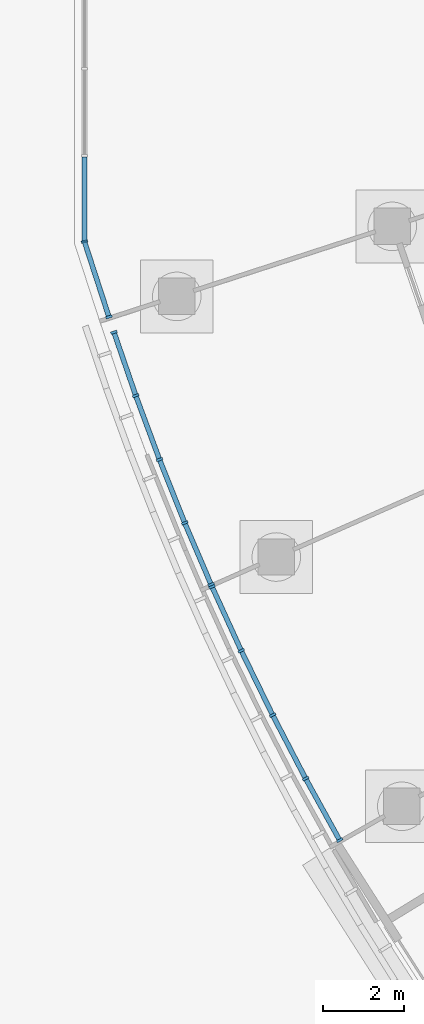
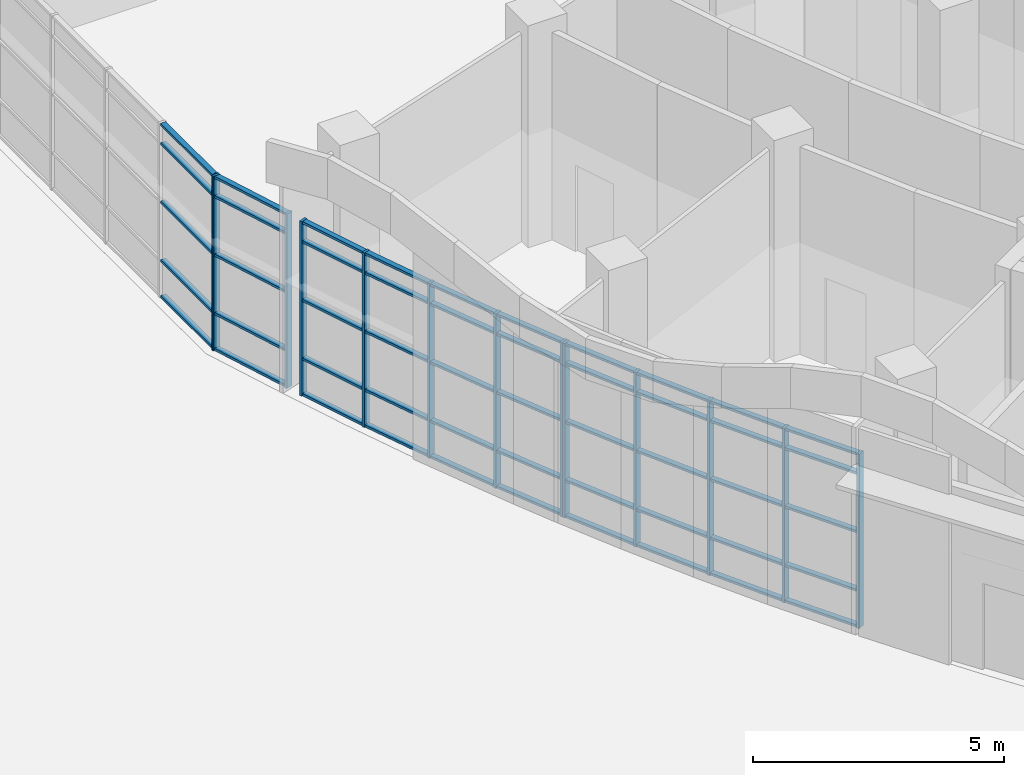
# One storey, part 24 of 146: 63 members, 4 elements without a shape of their own.
"""IFC4 building model written with IfcOpenShell, lengths in metres."""

from ifc_helpers import new_model, si_unit, direction, frame, origin, origin_2d, place, context, subcontext, project, spatial, rectangle, extrude, material, material_profile, profile_set, type_object, element, aggregate, save


model = new_model("IFC4")

# Units and contexts
model_context = context("Model", 3, precision=1e-05, world=origin(), true_north=direction((0.0, 1.0)))
body_context = subcontext(model_context, "Body", "Model", "MODEL_VIEW")
ifc_project = project(units=[si_unit("LENGTHUNIT", "METRE"), si_unit("AREAUNIT", "SQUARE_METRE"), si_unit("VOLUMEUNIT", "CUBIC_METRE"), si_unit("PLANEANGLEUNIT", "RADIAN"), si_unit("MASSUNIT", "GRAM", prefix="KILO")], contexts=[model_context])

# Site, building, storey
site_placement = place(None, origin())
site = spatial("IfcSite", under=ifc_project, at=site_placement, CompositionType="ELEMENT")
building_placement = place(site_placement, origin())
building = spatial("IfcBuilding", under=site, at=building_placement, Name="Bougainvillea Quay General Hospital", CompositionType="ELEMENT")
storey_placement = place(building_placement, origin())
storey = spatial("IfcBuildingStorey", under=building, at=storey_placement, Name="L00", CompositionType="ELEMENT", Elevation=0.0)

# Curtain wall, member
ifc_material_1 = material(Name="Aluminium curtain wall system, powder-coated glazed", Category="aluminium")
curtain_wall_type_1 = type_object("IfcCurtainWallType", Name="Unitised curtain wall CW-2157", PredefinedType="NOTDEFINED", material=ifc_material_1)
curtain_wall_1_placement = place(storey_placement, origin())
curtain_wall_1 = element("IfcCurtainWall", 1, at=curtain_wall_1_placement, inside=storey, type_object=curtain_wall_type_1, Name="CW-AE 00", PredefinedType="NOTDEFINED")
ifc_material_2 = material(Name="Aluminium mullion, powder-coated charcoal", Category="aluminium")
ifc_material_profile_1 = material_profile(ifc_material_2, rectangle(XDim=0.159912109375, YDim=0.06005859375, at=origin_2d()))
ifc_profile_set_1 = profile_set([ifc_material_profile_1], Name="Aluminium mullion, powder-coated charcoal")
member_type_1 = type_object("IfcMemberType", Name="Curtain wall mullion 160x60", PredefinedType="MULLION", material=ifc_profile_set_1)
member_1_placement = place(storey_placement, frame((42.25, 106.325927734375, 0.0), z_axis=(0.0, 0.0, 1.0), x_axis=(1.0, 0.0, 0.0)))
member_1 = element("IfcMember", 2, at=member_1_placement, type_object=member_type_1, Name="CW-AE mullion 6", PredefinedType="MULLION", context=body_context, shape_type="SweptSolid", body=[
    extrude(rectangle(XDim=0.159912109375, YDim=0.06005859375, at=origin_2d()), origin(), (0.0, 0.0, 1.0), 4.25),
])

# Curtain wall, members
curtain_wall_type_2 = type_object("IfcCurtainWallType", Name="Unitised curtain wall CW-2027", PredefinedType="NOTDEFINED", material=ifc_material_1)
curtain_wall_2_placement = place(storey_placement, origin())
curtain_wall_2 = element("IfcCurtainWall", 3, at=curtain_wall_2_placement, inside=storey, type_object=curtain_wall_type_2, Name="CW-AE 00", PredefinedType="NOTDEFINED")
member_2_placement = place(storey_placement, frame((42.2470703125, 106.3447265625, 0.0), z_axis=(0.0, 0.0, 1.0), x_axis=(0.951073957858, 0.30896330961, 0.0)))
member_2 = element("IfcMember", 4, at=member_2_placement, type_object=member_type_1, Name="CW-AE mullion 1", PredefinedType="MULLION", context=body_context, shape_type="SweptSolid", body=[
    extrude(rectangle(XDim=0.159912109375, YDim=0.06005859375, at=origin_2d()), origin(), (0.0, 0.0, 1.0), 4.25),
])
member_3_placement = place(storey_placement, frame((42.8544921875, 104.474853515625, 0.0), z_axis=(0.0, 0.0, 1.0), x_axis=(0.951073957858, 0.30896330961, 0.0)))
member_3 = element("IfcMember", 5, at=member_3_placement, type_object=member_type_1, Name="CW-AE mullion 2", PredefinedType="MULLION", context=body_context, shape_type="SweptSolid", body=[
    extrude(rectangle(XDim=0.159912109375, YDim=0.06005859375, at=origin_2d()), origin(), (0.0, 0.0, 1.0), 4.25),
])

curtain_wall_type_3 = type_object("IfcCurtainWallType", Name="Unitised curtain wall CW-2100", PredefinedType="NOTDEFINED", material=ifc_material_1)
curtain_wall_3_placement = place(storey_placement, origin())
curtain_wall_3 = element("IfcCurtainWall", 6, at=curtain_wall_3_placement, inside=storey, type_object=curtain_wall_type_3, Name="CW-W07 a01b6", PredefinedType="NOTDEFINED")
member_4_placement = place(storey_placement, frame((48.55517578125, 91.544189453125, 0.0), z_axis=(0.0, 0.0, 1.0), x_axis=(-0.875451874397, -0.483305302697, 0.0)))
member_4 = element("IfcMember", 7, at=member_4_placement, type_object=member_type_1, Name="CW-W07 mullion 1", PredefinedType="MULLION", context=body_context, shape_type="SweptSolid", body=[
    extrude(rectangle(XDim=0.159912109375, YDim=0.06005859375, at=origin_2d()), origin(), (0.0, 0.0, 1.0), 4.25),
])
member_5_placement = place(storey_placement, frame((47.71484375, 93.06640625, 0.0), z_axis=(0.0, 0.0, 1.0), x_axis=(-0.881509557333, -0.472166178724, 0.0)))
member_5 = element("IfcMember", 8, at=member_5_placement, type_object=member_type_1, Name="CW-W07 mullion 2", PredefinedType="MULLION", context=body_context, shape_type="SweptSolid", body=[
    extrude(rectangle(XDim=0.159912109375, YDim=0.06005859375, at=origin_2d()), origin(), (0.0, 0.0, 1.0), 4.25),
])
member_6_placement = place(storey_placement, frame((46.8994140625, 94.635986328125, 0.0), z_axis=(0.0, 0.0, 1.0), x_axis=(-0.893198796365, -0.449661995473, 0.0)))
member_6 = element("IfcMember", 9, at=member_6_placement, type_object=member_type_1, Name="CW-W07 mullion 3", PredefinedType="MULLION", context=body_context, shape_type="SweptSolid", body=[
    extrude(rectangle(XDim=0.159912109375, YDim=0.06005859375, at=origin_2d()), origin(), (0.0, 0.0, 1.0), 4.25),
])
member_7_placement = place(storey_placement, frame((46.1240234375, 96.225830078125, 0.0), z_axis=(0.0, 0.0, 1.0), x_axis=(-0.904313640176, -0.426868645126, 0.0)))
member_7 = element("IfcMember", 10, at=member_7_placement, type_object=member_type_1, Name="CW-W07 mullion 4", PredefinedType="MULLION", context=body_context, shape_type="SweptSolid", body=[
    extrude(rectangle(XDim=0.159912109375, YDim=0.06005859375, at=origin_2d()), origin(), (0.0, 0.0, 1.0), 4.25),
])
member_8_placement = place(storey_placement, frame((45.40185546875, 97.8076171875, 0.0), z_axis=(0.0, 0.0, 1.0), x_axis=(-0.909653415663, -0.415368105869, 0.0)))
member_8 = element("IfcMember", 11, at=member_8_placement, type_object=member_type_1, Name="CW-W07 mullion 5", PredefinedType="MULLION", context=body_context, shape_type="SweptSolid", body=[
    extrude(rectangle(XDim=0.159912109375, YDim=0.06005859375, at=origin_2d()), origin(), (0.0, 0.0, 1.0), 4.25),
])

curtain_wall_4_placement = place(storey_placement, origin())
curtain_wall_4 = element("IfcCurtainWall", 12, at=curtain_wall_4_placement, inside=storey, type_object=curtain_wall_type_3, Name="CW-W08 a01b7", PredefinedType="NOTDEFINED")
member_9_placement = place(storey_placement, frame((45.377685546875, 97.862548828125, 0.0), z_axis=(0.0, 0.0, 1.0), x_axis=(-0.919658672607, -0.392718634519, 0.0)))
member_9 = element("IfcMember", 13, at=member_9_placement, type_object=member_type_1, Name="CW-W08 mullion 1", PredefinedType="MULLION", context=body_context, shape_type="SweptSolid", body=[
    extrude(rectangle(XDim=0.159912109375, YDim=0.06005859375, at=origin_2d()), origin(), (0.0, 0.0, 1.0), 4.25),
])
member_10_placement = place(storey_placement, frame((44.7275390625, 99.384765625, 0.0), z_axis=(0.0, 0.0, 1.0), x_axis=(-0.924336164481, -0.381579159588, 0.0)))
member_10 = element("IfcMember", 14, at=member_10_placement, type_object=member_type_1, Name="CW-W08 mullion 2", PredefinedType="MULLION", context=body_context, shape_type="SweptSolid", body=[
    extrude(rectangle(XDim=0.159912109375, YDim=0.06005859375, at=origin_2d()), origin(), (0.0, 0.0, 1.0), 4.25),
])
member_11_placement = place(storey_placement, frame((44.103271484375, 100.950439453125, 0.0), z_axis=(0.0, 0.0, 1.0), x_axis=(-0.9332857179, -0.359134750148, 0.0)))
member_11 = element("IfcMember", 15, at=member_11_placement, type_object=member_type_1, Name="CW-W08 mullion 3", PredefinedType="MULLION", context=body_context, shape_type="SweptSolid", body=[
    extrude(rectangle(XDim=0.159912109375, YDim=0.06005859375, at=origin_2d()), origin(), (0.0, 0.0, 1.0), 4.25),
])
member_12_placement = place(storey_placement, frame((43.51708984375, 102.530517578125, 0.0), z_axis=(0.0, 0.0, 1.0), x_axis=(-0.941690376159, -0.336480661329, 0.0)))
member_12 = element("IfcMember", 16, at=member_12_placement, type_object=member_type_1, Name="CW-W08 mullion 4", PredefinedType="MULLION", context=body_context, shape_type="SweptSolid", body=[
    extrude(rectangle(XDim=0.159912109375, YDim=0.06005859375, at=origin_2d()), origin(), (0.0, 0.0, 1.0), 4.25),
])
member_13_placement = place(storey_placement, frame((42.97900390625, 104.095947265625, 0.0), z_axis=(0.0, 0.0, 1.0), x_axis=(-0.945686823657, -0.325079115849, 0.0)))
member_13 = element("IfcMember", 17, at=member_13_placement, type_object=member_type_1, Name="CW-W08 mullion 5", PredefinedType="MULLION", context=body_context, shape_type="SweptSolid", body=[
    extrude(rectangle(XDim=0.159912109375, YDim=0.06005859375, at=origin_2d()), origin(), (0.0, 0.0, 1.0), 4.25),
])

# Member
ifc_material_3 = material(Name="Aluminium transom, powder-coated charcoal", Category="aluminium")
ifc_material_profile_2 = material_profile(ifc_material_3, rectangle(XDim=0.1201171875, YDim=0.06005859375, at=origin_2d()))
ifc_profile_set_2 = profile_set([ifc_material_profile_2], Name="Aluminium transom, powder-coated charcoal")
member_type_2 = type_object("IfcMemberType", Name="Curtain wall transom 120x60", PredefinedType="USERDEFINED", material=ifc_profile_set_2)
member_14_placement = place(storey_placement, frame((42.25, 108.4228515625, 0.030029296875), z_axis=(0.0, -1.0, 0.0), x_axis=(1.0, 0.0, 0.0)))
member_14 = element("IfcMember", 18, at=member_14_placement, type_object=member_type_2, Name="CW-AE transom 5.1", ObjectType="TRANSOM", PredefinedType="USERDEFINED", context=body_context, shape_type="SweptSolid", body=[
    extrude(rectangle(XDim=0.1201171875, YDim=0.06005859375, at=origin_2d()), origin(), (0.0, 0.0, 1.0), 2.06689453125),
])

member_15_placement = place(storey_placement, frame((42.25, 108.4228515625, 0.89990234375), z_axis=(0.0, -1.0, 0.0), x_axis=(1.0, 0.0, 0.0)))
member_15 = element("IfcMember", 19, at=member_15_placement, type_object=member_type_2, Name="CW-AE transom 5.2", ObjectType="TRANSOM", PredefinedType="USERDEFINED", context=body_context, shape_type="SweptSolid", body=[
    extrude(rectangle(XDim=0.1201171875, YDim=0.06005859375, at=origin_2d()), origin(), (0.0, 0.0, 1.0), 2.06689453125),
])

member_16_placement = place(storey_placement, frame((42.25, 108.4228515625, 2.324951171875), z_axis=(0.0, -1.0, 0.0), x_axis=(1.0, 0.0, 0.0)))
member_16 = element("IfcMember", 20, at=member_16_placement, type_object=member_type_2, Name="CW-AE transom 5.3", ObjectType="TRANSOM", PredefinedType="USERDEFINED", context=body_context, shape_type="SweptSolid", body=[
    extrude(rectangle(XDim=0.1201171875, YDim=0.06005859375, at=origin_2d()), origin(), (0.0, 0.0, 1.0), 2.06689453125),
])

member_17_placement = place(storey_placement, frame((42.25, 108.4228515625, 3.75), z_axis=(0.0, -1.0, 0.0), x_axis=(1.0, 0.0, 0.0)))
member_17 = element("IfcMember", 21, at=member_17_placement, type_object=member_type_2, Name="CW-AE transom 5.4", ObjectType="TRANSOM", PredefinedType="USERDEFINED", context=body_context, shape_type="SweptSolid", body=[
    extrude(rectangle(XDim=0.1201171875, YDim=0.06005859375, at=origin_2d()), origin(), (0.0, 0.0, 1.0), 2.06689453125),
])

member_18_placement = place(storey_placement, frame((42.25, 108.4228515625, 4.219970703125), z_axis=(0.0, -1.0, 0.0), x_axis=(1.0, 0.0, 0.0)))
member_18 = element("IfcMember", 22, at=member_18_placement, type_object=member_type_2, Name="CW-AE transom 5.5", ObjectType="TRANSOM", PredefinedType="USERDEFINED", context=body_context, shape_type="SweptSolid", body=[
    extrude(rectangle(XDim=0.1201171875, YDim=0.06005859375, at=origin_2d()), origin(), (0.0, 0.0, 1.0), 2.06689453125),
])

aggregate(curtain_wall_1, [member_1, member_14, member_15, member_16, member_17, member_18])

member_19_placement = place(storey_placement, frame((42.25634765625, 106.316162109375, 0.030029296875), z_axis=(0.308955733663, -0.951076418926, 0.0), x_axis=(0.951076418926, 0.308955733663, 0.0)))
member_19 = element("IfcMember", 23, at=member_19_placement, type_object=member_type_2, Name="CW-AE transom 1.1", ObjectType="TRANSOM", PredefinedType="USERDEFINED", context=body_context, shape_type="SweptSolid", body=[
    extrude(rectangle(XDim=0.1201171875, YDim=0.06005859375, at=origin_2d()), origin(), (0.0, 0.0, 1.0), 1.906005859375),
])

member_20_placement = place(storey_placement, frame((42.25634765625, 106.316162109375, 0.89990234375), z_axis=(0.308955733663, -0.951076418926, 0.0), x_axis=(0.951076418926, 0.308955733663, 0.0)))
member_20 = element("IfcMember", 24, at=member_20_placement, type_object=member_type_2, Name="CW-AE transom 1.2", ObjectType="TRANSOM", PredefinedType="USERDEFINED", context=body_context, shape_type="SweptSolid", body=[
    extrude(rectangle(XDim=0.1201171875, YDim=0.06005859375, at=origin_2d()), origin(), (0.0, 0.0, 1.0), 1.906005859375),
])

member_21_placement = place(storey_placement, frame((42.25634765625, 106.316162109375, 2.324951171875), z_axis=(0.308955733663, -0.951076418926, 0.0), x_axis=(0.951076418926, 0.308955733663, 0.0)))
member_21 = element("IfcMember", 25, at=member_21_placement, type_object=member_type_2, Name="CW-AE transom 1.3", ObjectType="TRANSOM", PredefinedType="USERDEFINED", context=body_context, shape_type="SweptSolid", body=[
    extrude(rectangle(XDim=0.1201171875, YDim=0.06005859375, at=origin_2d()), origin(), (0.0, 0.0, 1.0), 1.906005859375),
])

member_22_placement = place(storey_placement, frame((42.25634765625, 106.316162109375, 3.75), z_axis=(0.308955733663, -0.951076418926, 0.0), x_axis=(0.951076418926, 0.308955733663, 0.0)))
member_22 = element("IfcMember", 26, at=member_22_placement, type_object=member_type_2, Name="CW-AE transom 1.4", ObjectType="TRANSOM", PredefinedType="USERDEFINED", context=body_context, shape_type="SweptSolid", body=[
    extrude(rectangle(XDim=0.1201171875, YDim=0.06005859375, at=origin_2d()), origin(), (0.0, 0.0, 1.0), 1.906005859375),
])

member_23_placement = place(storey_placement, frame((42.25634765625, 106.316162109375, 4.219970703125), z_axis=(0.308955733663, -0.951076418926, 0.0), x_axis=(0.951076418926, 0.308955733663, 0.0)))
member_23 = element("IfcMember", 27, at=member_23_placement, type_object=member_type_2, Name="CW-AE transom 1.5", ObjectType="TRANSOM", PredefinedType="USERDEFINED", context=body_context, shape_type="SweptSolid", body=[
    extrude(rectangle(XDim=0.1201171875, YDim=0.06005859375, at=origin_2d()), origin(), (0.0, 0.0, 1.0), 1.906005859375),
])

aggregate(curtain_wall_2, [member_2, member_3, member_19, member_20, member_21, member_22, member_23])

member_24_placement = place(storey_placement, frame((48.54052734375, 91.570556640625, 0.030029296875), z_axis=(-0.483319558897, 0.875444003913, 0.0), x_axis=(-0.875444003913, -0.483319558897, 0.0)))
member_24 = element("IfcMember", 28, at=member_24_placement, type_object=member_type_2, Name="CW-W07 transom 1.1", ObjectType="TRANSOM", PredefinedType="USERDEFINED", context=body_context, shape_type="SweptSolid", body=[
    extrude(rectangle(XDim=0.1201171875, YDim=0.06005859375, at=origin_2d()), origin(), (0.0, 0.0, 1.0), 1.678466796875),
])

member_25_placement = place(storey_placement, frame((48.54052734375, 91.570556640625, 0.89990234375), z_axis=(-0.483319558897, 0.875444003913, 0.0), x_axis=(-0.875444003913, -0.483319558897, 0.0)))
member_25 = element("IfcMember", 29, at=member_25_placement, type_object=member_type_2, Name="CW-W07 transom 1.2", ObjectType="TRANSOM", PredefinedType="USERDEFINED", context=body_context, shape_type="SweptSolid", body=[
    extrude(rectangle(XDim=0.1201171875, YDim=0.06005859375, at=origin_2d()), origin(), (0.0, 0.0, 1.0), 1.678466796875),
])

member_26_placement = place(storey_placement, frame((48.54052734375, 91.570556640625, 2.324951171875), z_axis=(-0.483319558897, 0.875444003913, 0.0), x_axis=(-0.875444003913, -0.483319558897, 0.0)))
member_26 = element("IfcMember", 30, at=member_26_placement, type_object=member_type_2, Name="CW-W07 transom 1.3", ObjectType="TRANSOM", PredefinedType="USERDEFINED", context=body_context, shape_type="SweptSolid", body=[
    extrude(rectangle(XDim=0.1201171875, YDim=0.06005859375, at=origin_2d()), origin(), (0.0, 0.0, 1.0), 1.678466796875),
])

member_27_placement = place(storey_placement, frame((48.54052734375, 91.570556640625, 3.75), z_axis=(-0.483319558897, 0.875444003913, 0.0), x_axis=(-0.875444003913, -0.483319558897, 0.0)))
member_27 = element("IfcMember", 31, at=member_27_placement, type_object=member_type_2, Name="CW-W07 transom 1.4", ObjectType="TRANSOM", PredefinedType="USERDEFINED", context=body_context, shape_type="SweptSolid", body=[
    extrude(rectangle(XDim=0.1201171875, YDim=0.06005859375, at=origin_2d()), origin(), (0.0, 0.0, 1.0), 1.678466796875),
])

member_28_placement = place(storey_placement, frame((48.54052734375, 91.570556640625, 4.219970703125), z_axis=(-0.483319558897, 0.875444003913, 0.0), x_axis=(-0.875444003913, -0.483319558897, 0.0)))
member_28 = element("IfcMember", 32, at=member_28_placement, type_object=member_type_2, Name="CW-W07 transom 1.5", ObjectType="TRANSOM", PredefinedType="USERDEFINED", context=body_context, shape_type="SweptSolid", body=[
    extrude(rectangle(XDim=0.1201171875, YDim=0.06005859375, at=origin_2d()), origin(), (0.0, 0.0, 1.0), 1.678466796875),
])

member_29_placement = place(storey_placement, frame((47.700927734375, 93.093017578125, 0.030029296875), z_axis=(-0.460934299369, 0.887434263292, 0.0), x_axis=(-0.887434263292, -0.460934299369, 0.0)))
member_29 = element("IfcMember", 33, at=member_29_placement, type_object=member_type_2, Name="CW-W07 transom 2.1", ObjectType="TRANSOM", PredefinedType="USERDEFINED", context=body_context, shape_type="SweptSolid", body=[
    extrude(rectangle(XDim=0.1201171875, YDim=0.06005859375, at=origin_2d()), origin(), (0.0, 0.0, 1.0), 1.708740234375),
])

member_30_placement = place(storey_placement, frame((47.700927734375, 93.093017578125, 0.89990234375), z_axis=(-0.460934299369, 0.887434263292, 0.0), x_axis=(-0.887434263292, -0.460934299369, 0.0)))
member_30 = element("IfcMember", 34, at=member_30_placement, type_object=member_type_2, Name="CW-W07 transom 2.2", ObjectType="TRANSOM", PredefinedType="USERDEFINED", context=body_context, shape_type="SweptSolid", body=[
    extrude(rectangle(XDim=0.1201171875, YDim=0.06005859375, at=origin_2d()), origin(), (0.0, 0.0, 1.0), 1.708740234375),
])

member_31_placement = place(storey_placement, frame((47.700927734375, 93.093017578125, 2.324951171875), z_axis=(-0.460934299369, 0.887434263292, 0.0), x_axis=(-0.887434263292, -0.460934299369, 0.0)))
member_31 = element("IfcMember", 35, at=member_31_placement, type_object=member_type_2, Name="CW-W07 transom 2.3", ObjectType="TRANSOM", PredefinedType="USERDEFINED", context=body_context, shape_type="SweptSolid", body=[
    extrude(rectangle(XDim=0.1201171875, YDim=0.06005859375, at=origin_2d()), origin(), (0.0, 0.0, 1.0), 1.708740234375),
])

member_32_placement = place(storey_placement, frame((47.700927734375, 93.093017578125, 3.75), z_axis=(-0.460934299369, 0.887434263292, 0.0), x_axis=(-0.887434263292, -0.460934299369, 0.0)))
member_32 = element("IfcMember", 36, at=member_32_placement, type_object=member_type_2, Name="CW-W07 transom 2.4", ObjectType="TRANSOM", PredefinedType="USERDEFINED", context=body_context, shape_type="SweptSolid", body=[
    extrude(rectangle(XDim=0.1201171875, YDim=0.06005859375, at=origin_2d()), origin(), (0.0, 0.0, 1.0), 1.708740234375),
])

member_33_placement = place(storey_placement, frame((47.700927734375, 93.093017578125, 4.219970703125), z_axis=(-0.460934299369, 0.887434263292, 0.0), x_axis=(-0.887434263292, -0.460934299369, 0.0)))
member_33 = element("IfcMember", 37, at=member_33_placement, type_object=member_type_2, Name="CW-W07 transom 2.5", ObjectType="TRANSOM", PredefinedType="USERDEFINED", context=body_context, shape_type="SweptSolid", body=[
    extrude(rectangle(XDim=0.1201171875, YDim=0.06005859375, at=origin_2d()), origin(), (0.0, 0.0, 1.0), 1.708740234375),
])

member_34_placement = place(storey_placement, frame((46.88623046875, 94.6630859375, 0.030029296875), z_axis=(-0.4383335534, 0.898812380847, 0.0), x_axis=(-0.898812380847, -0.4383335534, 0.0)))
member_34 = element("IfcMember", 38, at=member_34_placement, type_object=member_type_2, Name="CW-W07 transom 3.1", ObjectType="TRANSOM", PredefinedType="USERDEFINED", context=body_context, shape_type="SweptSolid", body=[
    extrude(rectangle(XDim=0.1201171875, YDim=0.06005859375, at=origin_2d()), origin(), (0.0, 0.0, 1.0), 1.708740234375),
])

member_35_placement = place(storey_placement, frame((46.88623046875, 94.6630859375, 0.89990234375), z_axis=(-0.4383335534, 0.898812380847, 0.0), x_axis=(-0.898812380847, -0.4383335534, 0.0)))
member_35 = element("IfcMember", 39, at=member_35_placement, type_object=member_type_2, Name="CW-W07 transom 3.2", ObjectType="TRANSOM", PredefinedType="USERDEFINED", context=body_context, shape_type="SweptSolid", body=[
    extrude(rectangle(XDim=0.1201171875, YDim=0.06005859375, at=origin_2d()), origin(), (0.0, 0.0, 1.0), 1.708740234375),
])

member_36_placement = place(storey_placement, frame((46.88623046875, 94.6630859375, 2.324951171875), z_axis=(-0.4383335534, 0.898812380847, 0.0), x_axis=(-0.898812380847, -0.4383335534, 0.0)))
member_36 = element("IfcMember", 40, at=member_36_placement, type_object=member_type_2, Name="CW-W07 transom 3.3", ObjectType="TRANSOM", PredefinedType="USERDEFINED", context=body_context, shape_type="SweptSolid", body=[
    extrude(rectangle(XDim=0.1201171875, YDim=0.06005859375, at=origin_2d()), origin(), (0.0, 0.0, 1.0), 1.708740234375),
])

member_37_placement = place(storey_placement, frame((46.88623046875, 94.6630859375, 3.75), z_axis=(-0.4383335534, 0.898812380847, 0.0), x_axis=(-0.898812380847, -0.4383335534, 0.0)))
member_37 = element("IfcMember", 41, at=member_37_placement, type_object=member_type_2, Name="CW-W07 transom 3.4", ObjectType="TRANSOM", PredefinedType="USERDEFINED", context=body_context, shape_type="SweptSolid", body=[
    extrude(rectangle(XDim=0.1201171875, YDim=0.06005859375, at=origin_2d()), origin(), (0.0, 0.0, 1.0), 1.708740234375),
])

member_38_placement = place(storey_placement, frame((46.88623046875, 94.6630859375, 4.219970703125), z_axis=(-0.4383335534, 0.898812380847, 0.0), x_axis=(-0.898812380847, -0.4383335534, 0.0)))
member_38 = element("IfcMember", 42, at=member_38_placement, type_object=member_type_2, Name="CW-W07 transom 3.5", ObjectType="TRANSOM", PredefinedType="USERDEFINED", context=body_context, shape_type="SweptSolid", body=[
    extrude(rectangle(XDim=0.1201171875, YDim=0.06005859375, at=origin_2d()), origin(), (0.0, 0.0, 1.0), 1.708740234375),
])

member_39_placement = place(storey_placement, frame((46.111572265625, 96.253173828125, 0.030029296875), z_axis=(-0.415347290214, 0.909662920269, 0.0), x_axis=(-0.909662920269, -0.415347290214, 0.0)))
member_39 = element("IfcMember", 43, at=member_39_placement, type_object=member_type_2, Name="CW-W07 transom 4.1", ObjectType="TRANSOM", PredefinedType="USERDEFINED", context=body_context, shape_type="SweptSolid", body=[
    extrude(rectangle(XDim=0.1201171875, YDim=0.06005859375, at=origin_2d()), origin(), (0.0, 0.0, 1.0), 1.6787109375),
])

member_40_placement = place(storey_placement, frame((46.111572265625, 96.253173828125, 0.89990234375), z_axis=(-0.415347290214, 0.909662920269, 0.0), x_axis=(-0.909662920269, -0.415347290214, 0.0)))
member_40 = element("IfcMember", 44, at=member_40_placement, type_object=member_type_2, Name="CW-W07 transom 4.2", ObjectType="TRANSOM", PredefinedType="USERDEFINED", context=body_context, shape_type="SweptSolid", body=[
    extrude(rectangle(XDim=0.1201171875, YDim=0.06005859375, at=origin_2d()), origin(), (0.0, 0.0, 1.0), 1.6787109375),
])

member_41_placement = place(storey_placement, frame((46.111572265625, 96.253173828125, 2.324951171875), z_axis=(-0.415347290214, 0.909662920269, 0.0), x_axis=(-0.909662920269, -0.415347290214, 0.0)))
member_41 = element("IfcMember", 45, at=member_41_placement, type_object=member_type_2, Name="CW-W07 transom 4.3", ObjectType="TRANSOM", PredefinedType="USERDEFINED", context=body_context, shape_type="SweptSolid", body=[
    extrude(rectangle(XDim=0.1201171875, YDim=0.06005859375, at=origin_2d()), origin(), (0.0, 0.0, 1.0), 1.6787109375),
])

member_42_placement = place(storey_placement, frame((46.111572265625, 96.253173828125, 3.75), z_axis=(-0.415347290214, 0.909662920269, 0.0), x_axis=(-0.909662920269, -0.415347290214, 0.0)))
member_42 = element("IfcMember", 46, at=member_42_placement, type_object=member_type_2, Name="CW-W07 transom 4.4", ObjectType="TRANSOM", PredefinedType="USERDEFINED", context=body_context, shape_type="SweptSolid", body=[
    extrude(rectangle(XDim=0.1201171875, YDim=0.06005859375, at=origin_2d()), origin(), (0.0, 0.0, 1.0), 1.6787109375),
])

member_43_placement = place(storey_placement, frame((46.111572265625, 96.253173828125, 4.219970703125), z_axis=(-0.415347290214, 0.909662920269, 0.0), x_axis=(-0.909662920269, -0.415347290214, 0.0)))
member_43 = element("IfcMember", 47, at=member_43_placement, type_object=member_type_2, Name="CW-W07 transom 4.5", ObjectType="TRANSOM", PredefinedType="USERDEFINED", context=body_context, shape_type="SweptSolid", body=[
    extrude(rectangle(XDim=0.1201171875, YDim=0.06005859375, at=origin_2d()), origin(), (0.0, 0.0, 1.0), 1.6787109375),
])

aggregate(curtain_wall_3, [member_4, member_5, member_6, member_7, member_8, member_24, member_25, member_26, member_27, member_28, member_29, member_30, member_31, member_32, member_33, member_34, member_35, member_36, member_37, member_38, member_39, member_40, member_41, member_42, member_43])

member_44_placement = place(storey_placement, frame((45.365966796875, 97.89013671875, 0.030029296875), z_axis=(-0.392847767155, 0.919603518828, 0.0), x_axis=(-0.919603518828, -0.392847767155, 0.0)))
member_44 = element("IfcMember", 48, at=member_44_placement, type_object=member_type_2, Name="CW-W08 transom 1.1", ObjectType="TRANSOM", PredefinedType="USERDEFINED", context=body_context, shape_type="SweptSolid", body=[
    extrude(rectangle(XDim=0.1201171875, YDim=0.06005859375, at=origin_2d()), origin(), (0.0, 0.0, 1.0), 1.59521484375),
])

member_45_placement = place(storey_placement, frame((45.365966796875, 97.89013671875, 0.89990234375), z_axis=(-0.392847767155, 0.919603518828, 0.0), x_axis=(-0.919603518828, -0.392847767155, 0.0)))
member_45 = element("IfcMember", 49, at=member_45_placement, type_object=member_type_2, Name="CW-W08 transom 1.2", ObjectType="TRANSOM", PredefinedType="USERDEFINED", context=body_context, shape_type="SweptSolid", body=[
    extrude(rectangle(XDim=0.1201171875, YDim=0.06005859375, at=origin_2d()), origin(), (0.0, 0.0, 1.0), 1.59521484375),
])

member_46_placement = place(storey_placement, frame((45.365966796875, 97.89013671875, 2.324951171875), z_axis=(-0.392847767155, 0.919603518828, 0.0), x_axis=(-0.919603518828, -0.392847767155, 0.0)))
member_46 = element("IfcMember", 50, at=member_46_placement, type_object=member_type_2, Name="CW-W08 transom 1.3", ObjectType="TRANSOM", PredefinedType="USERDEFINED", context=body_context, shape_type="SweptSolid", body=[
    extrude(rectangle(XDim=0.1201171875, YDim=0.06005859375, at=origin_2d()), origin(), (0.0, 0.0, 1.0), 1.59521484375),
])

member_47_placement = place(storey_placement, frame((45.365966796875, 97.89013671875, 3.75), z_axis=(-0.392847767155, 0.919603518828, 0.0), x_axis=(-0.919603518828, -0.392847767155, 0.0)))
member_47 = element("IfcMember", 51, at=member_47_placement, type_object=member_type_2, Name="CW-W08 transom 1.4", ObjectType="TRANSOM", PredefinedType="USERDEFINED", context=body_context, shape_type="SweptSolid", body=[
    extrude(rectangle(XDim=0.1201171875, YDim=0.06005859375, at=origin_2d()), origin(), (0.0, 0.0, 1.0), 1.59521484375),
])

member_48_placement = place(storey_placement, frame((45.365966796875, 97.89013671875, 4.219970703125), z_axis=(-0.392847767155, 0.919603518828, 0.0), x_axis=(-0.919603518828, -0.392847767155, 0.0)))
member_48 = element("IfcMember", 52, at=member_48_placement, type_object=member_type_2, Name="CW-W08 transom 1.5", ObjectType="TRANSOM", PredefinedType="USERDEFINED", context=body_context, shape_type="SweptSolid", body=[
    extrude(rectangle(XDim=0.1201171875, YDim=0.06005859375, at=origin_2d()), origin(), (0.0, 0.0, 1.0), 1.59521484375),
])

member_49_placement = place(storey_placement, frame((44.716552734375, 99.412841796875, 0.030029296875), z_axis=(-0.370406363802, 0.928869810929, 0.0), x_axis=(-0.928869810929, -0.370406363802, 0.0)))
member_49 = element("IfcMember", 53, at=member_49_placement, type_object=member_type_2, Name="CW-W08 transom 2.1", ObjectType="TRANSOM", PredefinedType="USERDEFINED", context=body_context, shape_type="SweptSolid", body=[
    extrude(rectangle(XDim=0.1201171875, YDim=0.06005859375, at=origin_2d()), origin(), (0.0, 0.0, 1.0), 1.62548828125),
])

member_50_placement = place(storey_placement, frame((44.716552734375, 99.412841796875, 0.89990234375), z_axis=(-0.370406363802, 0.928869810929, 0.0), x_axis=(-0.928869810929, -0.370406363802, 0.0)))
member_50 = element("IfcMember", 54, at=member_50_placement, type_object=member_type_2, Name="CW-W08 transom 2.2", ObjectType="TRANSOM", PredefinedType="USERDEFINED", context=body_context, shape_type="SweptSolid", body=[
    extrude(rectangle(XDim=0.1201171875, YDim=0.06005859375, at=origin_2d()), origin(), (0.0, 0.0, 1.0), 1.62548828125),
])

member_51_placement = place(storey_placement, frame((44.716552734375, 99.412841796875, 2.324951171875), z_axis=(-0.370406363802, 0.928869810929, 0.0), x_axis=(-0.928869810929, -0.370406363802, 0.0)))
member_51 = element("IfcMember", 55, at=member_51_placement, type_object=member_type_2, Name="CW-W08 transom 2.3", ObjectType="TRANSOM", PredefinedType="USERDEFINED", context=body_context, shape_type="SweptSolid", body=[
    extrude(rectangle(XDim=0.1201171875, YDim=0.06005859375, at=origin_2d()), origin(), (0.0, 0.0, 1.0), 1.62548828125),
])

member_52_placement = place(storey_placement, frame((44.716552734375, 99.412841796875, 3.75), z_axis=(-0.370406363802, 0.928869810929, 0.0), x_axis=(-0.928869810929, -0.370406363802, 0.0)))
member_52 = element("IfcMember", 56, at=member_52_placement, type_object=member_type_2, Name="CW-W08 transom 2.4", ObjectType="TRANSOM", PredefinedType="USERDEFINED", context=body_context, shape_type="SweptSolid", body=[
    extrude(rectangle(XDim=0.1201171875, YDim=0.06005859375, at=origin_2d()), origin(), (0.0, 0.0, 1.0), 1.62548828125),
])

member_53_placement = place(storey_placement, frame((44.716552734375, 99.412841796875, 4.219970703125), z_axis=(-0.370406363802, 0.928869810929, 0.0), x_axis=(-0.928869810929, -0.370406363802, 0.0)))
member_53 = element("IfcMember", 57, at=member_53_placement, type_object=member_type_2, Name="CW-W08 transom 2.5", ObjectType="TRANSOM", PredefinedType="USERDEFINED", context=body_context, shape_type="SweptSolid", body=[
    extrude(rectangle(XDim=0.1201171875, YDim=0.06005859375, at=origin_2d()), origin(), (0.0, 0.0, 1.0), 1.62548828125),
])

member_54_placement = place(storey_placement, frame((44.093017578125, 100.978515625, 0.030029296875), z_axis=(-0.347862189765, 0.937545677251, 0.0), x_axis=(-0.937545677251, -0.347862189765, 0.0)))
member_54 = element("IfcMember", 58, at=member_54_placement, type_object=member_type_2, Name="CW-W08 transom 3.1", ObjectType="TRANSOM", PredefinedType="USERDEFINED", context=body_context, shape_type="SweptSolid", body=[
    extrude(rectangle(XDim=0.1201171875, YDim=0.06005859375, at=origin_2d()), origin(), (0.0, 0.0, 1.0), 1.62548828125),
])

member_55_placement = place(storey_placement, frame((44.093017578125, 100.978515625, 0.89990234375), z_axis=(-0.347862189765, 0.937545677251, 0.0), x_axis=(-0.937545677251, -0.347862189765, 0.0)))
member_55 = element("IfcMember", 59, at=member_55_placement, type_object=member_type_2, Name="CW-W08 transom 3.2", ObjectType="TRANSOM", PredefinedType="USERDEFINED", context=body_context, shape_type="SweptSolid", body=[
    extrude(rectangle(XDim=0.1201171875, YDim=0.06005859375, at=origin_2d()), origin(), (0.0, 0.0, 1.0), 1.62548828125),
])

member_56_placement = place(storey_placement, frame((44.093017578125, 100.978515625, 2.324951171875), z_axis=(-0.347862189765, 0.937545677251, 0.0), x_axis=(-0.937545677251, -0.347862189765, 0.0)))
member_56 = element("IfcMember", 60, at=member_56_placement, type_object=member_type_2, Name="CW-W08 transom 3.3", ObjectType="TRANSOM", PredefinedType="USERDEFINED", context=body_context, shape_type="SweptSolid", body=[
    extrude(rectangle(XDim=0.1201171875, YDim=0.06005859375, at=origin_2d()), origin(), (0.0, 0.0, 1.0), 1.62548828125),
])

member_57_placement = place(storey_placement, frame((44.093017578125, 100.978515625, 3.75), z_axis=(-0.347862189765, 0.937545677251, 0.0), x_axis=(-0.937545677251, -0.347862189765, 0.0)))
member_57 = element("IfcMember", 61, at=member_57_placement, type_object=member_type_2, Name="CW-W08 transom 3.4", ObjectType="TRANSOM", PredefinedType="USERDEFINED", context=body_context, shape_type="SweptSolid", body=[
    extrude(rectangle(XDim=0.1201171875, YDim=0.06005859375, at=origin_2d()), origin(), (0.0, 0.0, 1.0), 1.62548828125),
])

member_58_placement = place(storey_placement, frame((44.093017578125, 100.978515625, 4.219970703125), z_axis=(-0.347862189765, 0.937545677251, 0.0), x_axis=(-0.937545677251, -0.347862189765, 0.0)))
member_58 = element("IfcMember", 62, at=member_58_placement, type_object=member_type_2, Name="CW-W08 transom 3.5", ObjectType="TRANSOM", PredefinedType="USERDEFINED", context=body_context, shape_type="SweptSolid", body=[
    extrude(rectangle(XDim=0.1201171875, YDim=0.06005859375, at=origin_2d()), origin(), (0.0, 0.0, 1.0), 1.62548828125),
])

member_59_placement = place(storey_placement, frame((43.50732421875, 102.558837890625, 0.030029296875), z_axis=(-0.325028447329, 0.945704239404, 0.0), x_axis=(-0.945704239404, -0.325028447329, 0.0)))
member_59 = element("IfcMember", 63, at=member_59_placement, type_object=member_type_2, Name="CW-W08 transom 4.1", ObjectType="TRANSOM", PredefinedType="USERDEFINED", context=body_context, shape_type="SweptSolid", body=[
    extrude(rectangle(XDim=0.1201171875, YDim=0.06005859375, at=origin_2d()), origin(), (0.0, 0.0, 1.0), 1.595458984375),
])

member_60_placement = place(storey_placement, frame((43.50732421875, 102.558837890625, 0.89990234375), z_axis=(-0.325028447329, 0.945704239404, 0.0), x_axis=(-0.945704239404, -0.325028447329, 0.0)))
member_60 = element("IfcMember", 64, at=member_60_placement, type_object=member_type_2, Name="CW-W08 transom 4.2", ObjectType="TRANSOM", PredefinedType="USERDEFINED", context=body_context, shape_type="SweptSolid", body=[
    extrude(rectangle(XDim=0.1201171875, YDim=0.06005859375, at=origin_2d()), origin(), (0.0, 0.0, 1.0), 1.595458984375),
])

member_61_placement = place(storey_placement, frame((43.50732421875, 102.558837890625, 2.324951171875), z_axis=(-0.325028447329, 0.945704239404, 0.0), x_axis=(-0.945704239404, -0.325028447329, 0.0)))
member_61 = element("IfcMember", 65, at=member_61_placement, type_object=member_type_2, Name="CW-W08 transom 4.3", ObjectType="TRANSOM", PredefinedType="USERDEFINED", context=body_context, shape_type="SweptSolid", body=[
    extrude(rectangle(XDim=0.1201171875, YDim=0.06005859375, at=origin_2d()), origin(), (0.0, 0.0, 1.0), 1.595458984375),
])

member_62_placement = place(storey_placement, frame((43.50732421875, 102.558837890625, 3.75), z_axis=(-0.325028447329, 0.945704239404, 0.0), x_axis=(-0.945704239404, -0.325028447329, 0.0)))
member_62 = element("IfcMember", 66, at=member_62_placement, type_object=member_type_2, Name="CW-W08 transom 4.4", ObjectType="TRANSOM", PredefinedType="USERDEFINED", context=body_context, shape_type="SweptSolid", body=[
    extrude(rectangle(XDim=0.1201171875, YDim=0.06005859375, at=origin_2d()), origin(), (0.0, 0.0, 1.0), 1.595458984375),
])

member_63_placement = place(storey_placement, frame((43.50732421875, 102.558837890625, 4.219970703125), z_axis=(-0.325028447329, 0.945704239404, 0.0), x_axis=(-0.945704239404, -0.325028447329, 0.0)))
member_63 = element("IfcMember", 67, at=member_63_placement, type_object=member_type_2, Name="CW-W08 transom 4.5", ObjectType="TRANSOM", PredefinedType="USERDEFINED", context=body_context, shape_type="SweptSolid", body=[
    extrude(rectangle(XDim=0.1201171875, YDim=0.06005859375, at=origin_2d()), origin(), (0.0, 0.0, 1.0), 1.595458984375),
])

aggregate(curtain_wall_4, [member_9, member_10, member_11, member_12, member_13, member_44, member_45, member_46, member_47, member_48, member_49, member_50, member_51, member_52, member_53, member_54, member_55, member_56, member_57, member_58, member_59, member_60, member_61, member_62, member_63])

save(model, "model.ifc")
